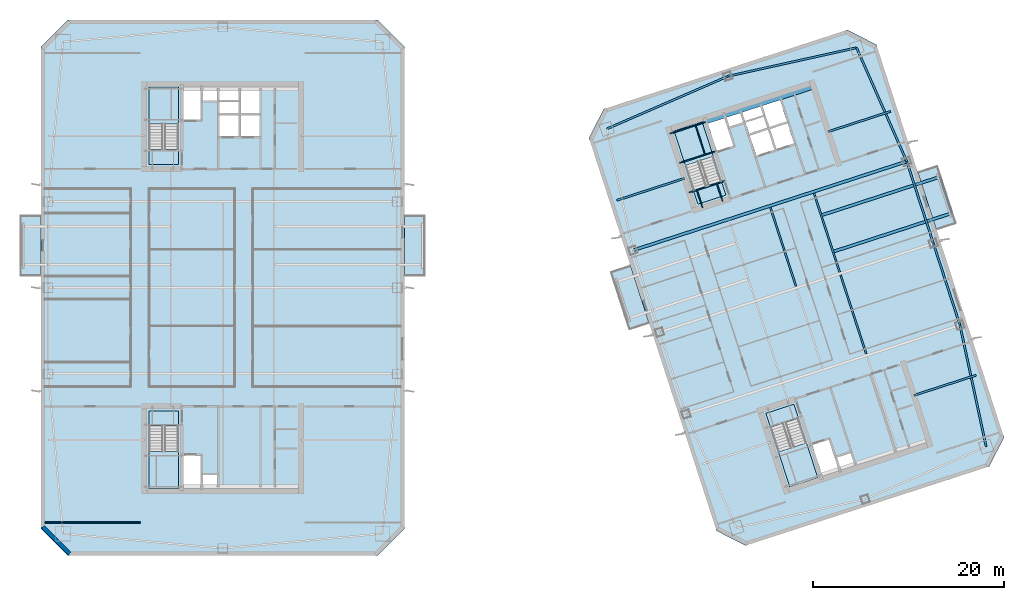
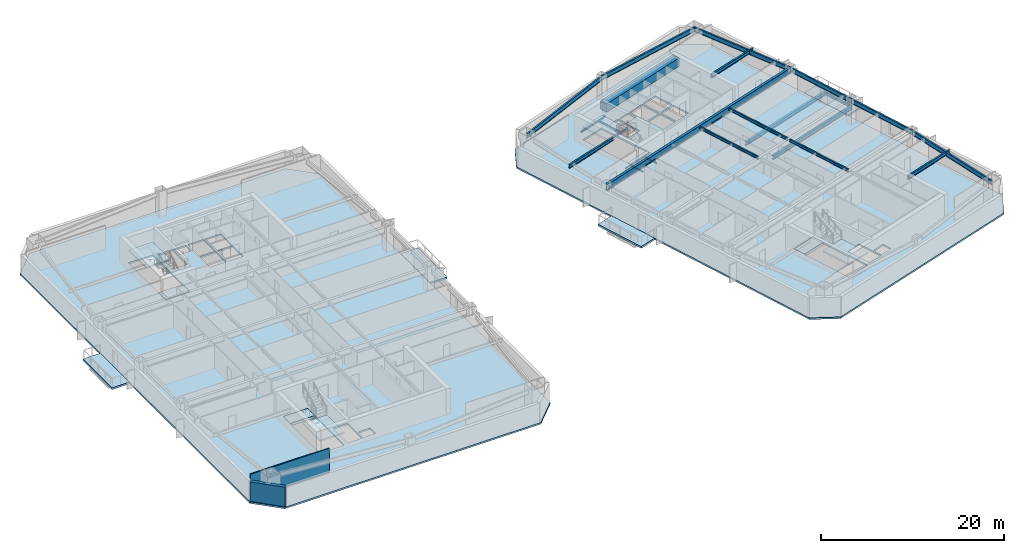
# One storey, part 4 of 17: 23 beams, 14 slabs, 2 walls, 4 elements without a shape of their own.
"""IFC4 building model written with IfcOpenShell, lengths in metres."""

from ifc_helpers import new_model, si_unit, direction, frame, frame_2d, origin, origin_2d, place, context, subcontext, project, spatial, polyline, rectangle, i_section, outline, extrude, material, layer, layer_set, material_profile, profile_set, type_object, element, aggregate, save


model = new_model("IFC4")

# Units and contexts
model_context = context("Model", 3, precision=1e-05, world=origin(), true_north=direction((0.0, 1.0)))
body_context = subcontext(model_context, "Body", "Model", "MODEL_VIEW")
ifc_project = project(units=[si_unit("LENGTHUNIT", "METRE"), si_unit("AREAUNIT", "SQUARE_METRE"), si_unit("VOLUMEUNIT", "CUBIC_METRE"), si_unit("PLANEANGLEUNIT", "RADIAN"), si_unit("MASSUNIT", "GRAM", prefix="KILO")], contexts=[model_context])

# Site, building, storey
site_placement = place(None, origin())
site = spatial("IfcSite", under=ifc_project, at=site_placement, CompositionType="ELEMENT")
building_placement = place(site_placement, origin())
building = spatial("IfcBuilding", under=site, at=building_placement, Name="Qiaolan Cultural Towers", CompositionType="ELEMENT")
storey_placement = place(building_placement, frame((0.0, 0.0, 142.60009765625)))
storey = spatial("IfcBuildingStorey", under=building, at=storey_placement, Name="L37", CompositionType="ELEMENT", Elevation=142.60009765625)

# Beams
ifc_material_1 = material(Name="Steel Q355B", Category="steel")
ifc_material_profile_1 = material_profile(ifc_material_1, i_section(OverallWidth=0.300048828125, OverallDepth=0.488037109375, WebThickness=0.010986328125, FlangeThickness=0.01806640625, at=origin_2d()), Name="HM488x300x11x18")
ifc_profile_set_1 = profile_set([ifc_material_profile_1], Name="Steel Q355B")
beam_type_1 = type_object("IfcBeamType", Name="BM-HM488x300x11x18", PredefinedType="BEAM", material=ifc_profile_set_1)
for number, where, z_axis, x_axis, name in (
    (1, (93.823486328125, 37.765869140625, -0.524169921875), (0.951054414178, 0.309023463951, 0.0), (-0.309023463951, 0.951054414178, 0.0), "L37 T2 Tree Balcony Back-Spanned Bracket Beam"),
    (2, (92.58740234375, 41.570068359375, -0.524169921875), (0.951054414178, 0.309023463951, 0.0), (-0.309023463951, 0.951054414178, 0.0), "L37 T2 Tree Balcony Back-Spanned Bracket Beam"),
):
    element("IfcBeam", number, at=place(storey_placement, frame(where, z_axis=z_axis, x_axis=x_axis)), inside=storey, type_object=beam_type_1, Name=name, PredefinedType="BEAM", context=body_context, shape_type="SweptSolid", body=[
        extrude(i_section(OverallWidth=0.300048828125, OverallDepth=0.488037109375, WebThickness=0.010986328125, FlangeThickness=0.01806640625, at=origin_2d()), origin(), (0.0, 0.0, 1.0), 13.0498046875),
    ])
ifc_material_2 = material(Name="Steel Q355B", Category="steel")
ifc_material_profile_2 = material_profile(ifc_material_2, i_section(OverallWidth=0.300048828125, OverallDepth=0.800048828125, WebThickness=0.013916015625, FlangeThickness=0.02587890625, at=origin_2d()), Name="HN800x300x14x26")
ifc_profile_set_2 = profile_set([ifc_material_profile_2], Name="Steel Q355B")
beam_type_2 = type_object("IfcBeamType", Name="BM-HN800x300x14x26", PredefinedType="BEAM", material=ifc_profile_set_2)
beam_1_placement = place(storey_placement, frame((72.905517578125, 37.90869140625, 2.789794921875), z_axis=(0.951055226628, 0.309020963535, 0.0), x_axis=(-0.309020963535, 0.951055226628, 0.0)))
element("IfcBeam", 3, at=beam_1_placement, inside=storey, type_object=beam_type_2, Name="L37 T2 Primary Transverse Girder V3", PredefinedType="BEAM", context=body_context, shape_type="SweptSolid", body=[
    extrude(i_section(OverallWidth=0.300048828125, OverallDepth=0.800048828125, WebThickness=0.013916015625, FlangeThickness=0.02587890625, at=origin_2d()), origin(), (0.0, 0.0, 1.0), 30.099853515625),
])
ifc_material_3 = material(Name="Steel Q355B", Category="steel")
ifc_material_profile_3 = material_profile(ifc_material_3, i_section(OverallWidth=0.175048828125, OverallDepth=0.35009765625, WebThickness=0.007080078125, FlangeThickness=0.010986328125, at=origin_2d()), Name="HN350x175x7x11")
ifc_profile_set_3 = profile_set([ifc_material_profile_3], Name="Steel Q355B")
beam_type_3 = type_object("IfcBeamType", Name="BM-JST-HN350x175x7x11", PredefinedType="JOIST", material=ifc_profile_set_3)
beam_2_placement = place(storey_placement, frame((106.234619140625, 41.798583984375, -0.524169921875), z_axis=(-0.309022586479, 0.951054699292, 0.0), x_axis=(-0.951054699292, -0.309022586479, 0.0)))
element("IfcBeam", 4, at=beam_2_placement, inside=storey, type_object=beam_type_3, Name="L37 T2 Tree Balcony Outer Edge Beam", PredefinedType="JOIST", context=body_context, shape_type="SweptSolid", body=[
    extrude(i_section(OverallWidth=0.175048828125, OverallDepth=0.35009765625, WebThickness=0.007080078125, FlangeThickness=0.010986328125, at=origin_2d()), origin(), (0.0, 0.0, 1.0), 4.0),
])
for number, where, z_axis, x_axis, name in (
    (5, (89.95361328125, 34.142578125, 3.014892578125), (-0.309020714809, 0.951055307445, 0.0), (-0.951055307445, -0.309020714809, 0.0), "L37 T2 Secondary Floor Joist U2-3"),
    (6, (97.2998046875, 27.06640625, 3.014892578125), (-0.309020714809, 0.951055307445, 0.0), (-0.951055307445, -0.309020714809, 0.0), "L37 T2 Secondary Floor Joist U3-2"),
    (7, (94.518798828125, 35.6259765625, 3.014892578125), (-0.309020714809, 0.951055307445, 0.0), (-0.951055307445, -0.309020714809, 0.0), "L37 T2 Secondary Floor Joist U3-3"),
):
    element("IfcBeam", number, at=place(storey_placement, frame(where, z_axis=z_axis, x_axis=x_axis)), inside=storey, type_object=beam_type_3, Name=name, PredefinedType="JOIST", context=body_context, shape_type="SweptSolid", body=[
        extrude(i_section(OverallWidth=0.175048828125, OverallDepth=0.35009765625, WebThickness=0.007080078125, FlangeThickness=0.010986328125, at=origin_2d()), origin(), (0.0, 0.0, 1.0), 8.699951171875),
    ])
ifc_material_4 = material(Name="Steel Q355B", Category="steel")
ifc_material_profile_4 = material_profile(ifc_material_4, i_section(OverallWidth=0.199951171875, OverallDepth=0.449951171875, WebThickness=0.009033203125, FlangeThickness=0.013916015625, at=origin_2d()), Name="HN450x200x9x14")
ifc_profile_set_4 = profile_set([ifc_material_profile_4], Name="Steel Q355B")
beam_type_4 = type_object("IfcBeamType", Name="BM-LNT-HN450x200x9x14", PredefinedType="LINTEL", material=ifc_profile_set_4)
beam_3_placement = place(storey_placement, frame((78.291259765625, 45.44189453125, 2.96484375), z_axis=(-0.951054777171, -0.309022346796, 0.0), x_axis=(0.309022346796, -0.951054777171, 0.0)))
element("IfcBeam", 8, at=beam_3_placement, inside=storey, type_object=beam_type_4, Name="L37 T2 Core Flank Tie Lintel WN", PredefinedType="LINTEL", context=body_context, shape_type="SweptSolid", body=[
    extrude(i_section(OverallWidth=0.199951171875, OverallDepth=0.449951171875, WebThickness=0.009033203125, FlangeThickness=0.013916015625, at=origin_2d()), origin(), (0.0, 0.0, 1.0), 7.4501953125),
])
for number, where, z_axis, x_axis, name in (
    (9, (102.279296875, 22.74365234375, 2.96484375), (0.951061565824, 0.30900145309, 0.0), (-0.30900145309, 0.951061565824, 0.0), "L37 T2 Core Flank Tie Lintel ES"),
    (10, (93.31787109375, 50.32421875, 2.96484375), (0.951061565824, 0.30900145309, 0.0), (-0.30900145309, 0.951061565824, 0.0), "L37 T2 Core Flank Tie Lintel EN"),
):
    element("IfcBeam", number, at=place(storey_placement, frame(where, z_axis=z_axis, x_axis=x_axis)), inside=storey, type_object=beam_type_4, Name=name, PredefinedType="LINTEL", context=body_context, shape_type="SweptSolid", body=[
        extrude(i_section(OverallWidth=0.199951171875, OverallDepth=0.449951171875, WebThickness=0.009033203125, FlangeThickness=0.013916015625, at=origin_2d()), origin(), (0.0, 0.0, 1.0), 6.85009765625),
    ])
ifc_material_5 = material(Name="Concrete C50", Category="concrete")
ifc_material_profile_5 = material_profile(ifc_material_5, rectangle(XDim=0.89990234375, YDim=1.10009765625, at=origin_2d()), Name="RC900x1100")
ifc_profile_set_5 = profile_set([ifc_material_profile_5], Name="Concrete C50")
beam_type_5 = type_object("IfcBeamType", Name="BM-RC900x1100", PredefinedType="BEAM", material=ifc_profile_set_5)
beam_4_placement = place(storey_placement, frame((80.427978515625, 51.551025390625, 2.639892578125), z_axis=(0.951056266386, 0.309017763514, 0.0), x_axis=(-0.309017763514, 0.951056266386, 0.0)))
element("IfcBeam", 11, at=beam_4_placement, inside=storey, type_object=beam_type_5, Name="L37 T2 Core Header Girder N", PredefinedType="BEAM", context=body_context, shape_type="SweptSolid", body=[
    extrude(rectangle(XDim=0.89990234375, YDim=1.10009765625, at=origin_2d()), origin(), (0.0, 0.0, 1.0), 11.880126953125),
])
ifc_material_6 = material(Name="Steel Q355B", Category="steel")
ifc_material_profile_6 = material_profile(ifc_material_6, i_section(OverallWidth=0.199951171875, OverallDepth=0.60009765625, WebThickness=0.010986328125, FlangeThickness=0.01708984375, at=origin_2d()), Name="HN600x200x11x17")
ifc_profile_set_6 = profile_set([ifc_material_profile_6], Name="Steel Q355B")
beam_type_6 = type_object("IfcBeamType", Name="BM-SPD-HN600x200x11x17", PredefinedType="SPANDREL", material=ifc_profile_set_6)
beam_5_placement = place(storey_placement, frame((109.834716796875, 17.38623046875, 2.889892578125), z_axis=(-0.210832241173, 0.977522258612, 0.0), x_axis=(-0.977522258612, -0.210832241173, 0.0)))
element("IfcBeam", 12, at=beam_5_placement, inside=storey, type_object=beam_type_6, Name="L37 T2 Perimeter Spandrel Beam 3", PredefinedType="SPANDREL", context=body_context, shape_type="SweptSolid", body=[
    extrude(i_section(OverallWidth=0.199951171875, OverallDepth=0.60009765625, WebThickness=0.010986328125, FlangeThickness=0.01708984375, at=origin_2d()), origin(), (0.0, 0.0, 1.0), 12.997314453125),
])
beam_6_placement = place(storey_placement, frame((107.094482421875, 30.09130859375, 2.889892578125), z_axis=(-0.309008170129, 0.951059383421, 0.0), x_axis=(-0.951059383421, -0.309008170129, 0.0)))
element("IfcBeam", 13, at=beam_6_placement, inside=storey, type_object=beam_type_6, Name="L37 T2 Perimeter Spandrel Beam 4", PredefinedType="SPANDREL", context=body_context, shape_type="SweptSolid", body=[
    extrude(i_section(OverallWidth=0.199951171875, OverallDepth=0.60009765625, WebThickness=0.010986328125, FlangeThickness=0.01708984375, at=origin_2d()), origin(), (0.0, 0.0, 1.0), 8.999755859375),
])
beam_7_placement = place(storey_placement, frame((104.3134765625, 38.650634765625, 2.889892578125), z_axis=(-0.309024734286, 0.951054001411, 0.0), x_axis=(-0.951054001411, -0.309024734286, 0.0)))
element("IfcBeam", 14, at=beam_7_placement, inside=storey, type_object=beam_type_6, Name="L37 T2 Perimeter Spandrel Beam 5", PredefinedType="SPANDREL", context=body_context, shape_type="SweptSolid", body=[
    extrude(i_section(OverallWidth=0.199951171875, OverallDepth=0.60009765625, WebThickness=0.010986328125, FlangeThickness=0.01708984375, at=origin_2d()), origin(), (0.0, 0.0, 1.0), 9.0),
])
beam_8_placement = place(storey_placement, frame((101.5322265625, 47.210205078125, 2.889892578125), z_axis=(-0.404011070002, 0.914754095545, 0.0), x_axis=(-0.914754095545, -0.404011070002, 0.0)))
element("IfcBeam", 15, at=beam_8_placement, inside=storey, type_object=beam_type_6, Name="L37 T2 Perimeter Spandrel Beam 6", PredefinedType="SPANDREL", context=body_context, shape_type="SweptSolid", body=[
    extrude(i_section(OverallWidth=0.199951171875, OverallDepth=0.60009765625, WebThickness=0.010986328125, FlangeThickness=0.01708984375, at=origin_2d()), origin(), (0.0, 0.0, 1.0), 12.9970703125),
])
beam_9_placement = place(storey_placement, frame((96.28125, 59.099365234375, 2.889892578125), z_axis=(-0.976265293399, -0.216578108094, 0.0), x_axis=(0.216578108094, -0.976265293399, 0.0)))
element("IfcBeam", 16, at=beam_9_placement, inside=storey, type_object=beam_type_6, Name="L37 T2 Perimeter Spandrel Beam 7", PredefinedType="SPANDREL", context=body_context, shape_type="SweptSolid", body=[
    extrude(i_section(OverallWidth=0.199951171875, OverallDepth=0.60009765625, WebThickness=0.010986328125, FlangeThickness=0.01708984375, at=origin_2d()), origin(), (0.0, 0.0, 1.0), 13.793212890625),
])
beam_10_placement = place(storey_placement, frame((82.8154296875, 56.112060546875, 2.889892578125), z_axis=(-0.917117043091, -0.398618024268, 0.0), x_axis=(0.398618024268, -0.917117043091, 0.0)))
element("IfcBeam", 17, at=beam_10_placement, inside=storey, type_object=beam_type_6, Name="L37 T2 Perimeter Spandrel Beam 8", PredefinedType="SPANDREL", context=body_context, shape_type="SweptSolid", body=[
    extrude(i_section(OverallWidth=0.199951171875, OverallDepth=0.60009765625, WebThickness=0.010986328125, FlangeThickness=0.01708984375, at=origin_2d()), origin(), (0.0, 0.0, 1.0), 13.79345703125),
])
ifc_material_7 = material(Name="Steel Q355B", Category="steel")
ifc_material_profile_7 = material_profile(ifc_material_7, i_section(OverallWidth=0.10009765625, OverallDepth=0.199951171875, WebThickness=0.005615234375, FlangeThickness=0.008056640625, at=origin_2d()), Name="HN200x100x5.5x8")
ifc_profile_set_7 = profile_set([ifc_material_profile_7], Name="Steel Q355B")
beam_type_7 = type_object("IfcBeamType", Name="BM-STTRIM-200", PredefinedType="BEAM", material=ifc_profile_set_7)
beam_11_placement = place(storey_placement, frame((78.773193359375, 43.958251953125, -0.460205078125), z_axis=(0.951072048947, 0.3089691857, 0.0), x_axis=(-0.3089691857, 0.951072048947, 0.0)))
element("IfcBeam", 18, at=beam_11_placement, inside=storey, type_object=beam_type_7, Name="L37 ST-E2 Floor Landing Header Beam", PredefinedType="BEAM", context=body_context, shape_type="SweptSolid", body=[
    extrude(i_section(OverallWidth=0.10009765625, OverallDepth=0.199951171875, WebThickness=0.005615234375, FlangeThickness=0.008056640625, at=origin_2d()), origin(), (0.0, 0.0, 1.0), 3.920166015625),
])
for number, where, z_axis, x_axis, name in (
    (19, (80.18115234375, 42.375732421875, -0.460205078125), (-0.308969394428, 0.951071981138, 0.0), (-0.951071981138, -0.308969394428, 0.0), "L37 ST-E2 Floor Landing Stringer 1"),
    (20, (82.2734375, 43.0556640625, -0.460205078125), (-0.308969394428, 0.951071981138, 0.0), (-0.951071981138, -0.308969394428, 0.0), "L37 ST-E2 Floor Landing Stringer 2"),
):
    element("IfcBeam", number, at=place(storey_placement, frame(where, z_axis=z_axis, x_axis=x_axis)), inside=storey, type_object=beam_type_7, Name=name, PredefinedType="BEAM", context=body_context, shape_type="SweptSolid", body=[
        extrude(i_section(OverallWidth=0.10009765625, OverallDepth=0.199951171875, WebThickness=0.005615234375, FlangeThickness=0.008056640625, at=origin_2d()), origin(), (0.0, 0.0, 1.0), 1.93994140625),
    ])
for number, where, z_axis, x_axis, name in (
    (21, (77.769287109375, 47.0478515625, 1.4248046875), (0.951053746643, 0.309025518358, 0.0), (-0.309025518358, 0.951053746643, 0.0), "L37 ST-E2 Stair Landing Support Beam 1-1"),
    (22, (76.770751953125, 50.12109375, 1.4248046875), (0.951072048947, 0.3089691857, 0.0), (-0.3089691857, 0.951072048947, 0.0), "L37 ST-E2 Stair Landing Support Beam 1-2"),
):
    element("IfcBeam", number, at=place(storey_placement, frame(where, z_axis=z_axis, x_axis=x_axis)), inside=storey, type_object=beam_type_7, Name=name, PredefinedType="BEAM", context=body_context, shape_type="SweptSolid", body=[
        extrude(i_section(OverallWidth=0.10009765625, OverallDepth=0.199951171875, WebThickness=0.005615234375, FlangeThickness=0.008056640625, at=origin_2d()), origin(), (0.0, 0.0, 1.0), 3.920166015625),
    ])
beam_12_placement = place(storey_placement, frame((80.44189453125, 47.916259765625, 1.4248046875), z_axis=(-0.309033108495, 0.951051280349, 0.0), x_axis=(-0.951051280349, -0.309033108495, 0.0)))
element("IfcBeam", 23, at=beam_12_placement, inside=storey, type_object=beam_type_7, Name="L37 ST-E2 Stair Landing Trimmer 1", PredefinedType="BEAM", context=body_context, shape_type="SweptSolid", body=[
    extrude(i_section(OverallWidth=0.10009765625, OverallDepth=0.199951171875, WebThickness=0.005615234375, FlangeThickness=0.008056640625, at=origin_2d()), origin(), (0.0, 0.0, 1.0), 3.231201171875),
])

# Slabs
ifc_material_8 = material(Name="Concrete C45", Category="concrete")
ifc_layer_1 = layer(ifc_material_8, 0.239990234375)
ifc_layer_set_1 = layer_set([ifc_layer_1], Name="Concrete C45")
slab_type_1 = type_object("IfcSlabType", Name="SL-BAL-240", PredefinedType="FLOOR", material=ifc_layer_set_1)
slab_1_placement = place(storey_placement, frame((0.0, 0.0, -0.239990234375)))
element("IfcSlab", 24, at=slab_1_placement, inside=storey, type_object=slab_type_1, Name="L37 T1 Planted Tree Balcony W", PredefinedType="FLOOR", context=body_context, shape_type="SweptSolid", body=[
    extrude(outline(polyline([(8.800048828125, 35.199951171875), (11.0, 35.199951171875), (11.0, 41.60009765625), (8.800048828125, 41.60009765625), (8.800048828125, 35.199951171875)])), origin(), (0.0, 0.0, 1.0), 0.239990234375),
])
slab_2_placement = place(storey_placement, frame((0.0, 0.0, -0.239990234375)))
element("IfcSlab", 25, at=slab_2_placement, inside=storey, type_object=slab_type_1, Name="L37 T1 Planted Tree Balcony E", PredefinedType="FLOOR", context=body_context, shape_type="SweptSolid", body=[
    extrude(outline(polyline([(49.0, 35.199951171875), (51.199951171875, 35.199951171875), (51.199951171875, 41.60009765625), (49.0, 41.60009765625), (49.0, 35.199951171875)])), origin(), (0.0, 0.0, 1.0), 0.239990234375),
])
slab_3_placement = place(storey_placement, frame((0.0, 0.0, -0.239990234375)))
element("IfcSlab", 26, at=slab_3_placement, inside=storey, type_object=slab_type_1, Name="L37 T2 Planted Tree Balcony W", PredefinedType="FLOOR", context=body_context, shape_type="SweptSolid", body=[
    extrude(outline(polyline([(72.51025390625, 29.578857421875), (74.6025390625, 30.2587890625), (72.624755859375, 36.345458984375), (70.532470703125, 35.665771484375), (72.51025390625, 29.578857421875)])), origin(), (0.0, 0.0, 1.0), 0.239990234375),
])
slab_4_placement = place(storey_placement, frame((0.0, 0.0, -0.239990234375)))
element("IfcSlab", 27, at=slab_4_placement, inside=storey, type_object=slab_type_1, Name="L37 T2 Planted Tree Balcony E", PredefinedType="FLOOR", context=body_context, shape_type="SweptSolid", body=[
    extrude(outline(polyline([(104.65576171875, 40.023681640625), (106.748291015625, 40.70361328125), (104.7705078125, 46.790283203125), (102.67822265625, 46.110595703125), (104.65576171875, 40.023681640625)])), origin(), (0.0, 0.0, 1.0), 0.239990234375),
])

# Stair, slab
ifc_material_9 = material(Name="Concrete C45", Category="concrete")
stair_type = type_object("IfcStairType", Name="STR-CORE-1500", PredefinedType="HALF_TURN_STAIR", material=ifc_material_9)
stair_1_placement = place(storey_placement, origin())
stair_1 = element("IfcStair", 28, at=stair_1_placement, inside=storey, type_object=stair_type, Name="L37 Smokeproof Exit Stair ST-W1", PredefinedType="HALF_TURN_STAIR")
ifc_material_10 = material(Name="Concrete C45", Category="concrete")
ifc_layer_2 = layer(ifc_material_10, 0.199951171875)
ifc_layer_set_2 = layer_set([ifc_layer_2], Name="Concrete C45")
slab_type_2 = type_object("IfcSlabType", Name="SL-STAIR-LAND", PredefinedType="LANDING", material=ifc_layer_set_2)
slab_5_placement = place(storey_placement, frame((0.0, 0.0, 1.52490234375)))
slab_5 = element("IfcSlab", 29, at=slab_5_placement, type_object=slab_type_2, Name="ST-W1 landing 1", PredefinedType="LANDING", context=body_context, shape_type="SweptSolid", body=[
    extrude(outline(polyline([(22.300048828125, 16.851318359375), (22.300048828125, 13.0), (25.3798828125, 13.0), (25.3798828125, 16.851318359375), (22.300048828125, 16.851318359375)])), origin(), (0.0, 0.0, 1.0), 0.199951171875),
])
aggregate(stair_1, [slab_5])

stair_2_placement = place(storey_placement, origin())
stair_2 = element("IfcStair", 30, at=stair_2_placement, inside=storey, type_object=stair_type, Name="L37 Smokeproof Exit Stair ST-W2", PredefinedType="HALF_TURN_STAIR")
slab_6_placement = place(storey_placement, frame((0.0, 0.0, 1.52490234375)))
slab_6 = element("IfcSlab", 31, at=slab_6_placement, type_object=slab_type_2, Name="ST-W2 landing 1", PredefinedType="LANDING", context=body_context, shape_type="SweptSolid", body=[
    extrude(outline(polyline([(25.3798828125, 51.148681640625), (25.3798828125, 55.0), (22.300048828125, 55.0), (22.300048828125, 51.148681640625), (25.3798828125, 51.148681640625)])), origin(), (0.0, 0.0, 1.0), 0.199951171875),
])
aggregate(stair_2, [slab_6])

stair_3_placement = place(storey_placement, origin())
stair_3 = element("IfcStair", 32, at=stair_3_placement, inside=storey, type_object=stair_type, Name="L37 Smokeproof Exit Stair ST-E1", PredefinedType="HALF_TURN_STAIR")
slab_7_placement = place(storey_placement, frame((0.0, 0.0, 1.52490234375)))
slab_7 = element("IfcSlab", 33, at=slab_7_placement, type_object=slab_type_2, Name="ST-E1 landing 1", PredefinedType="LANDING", context=body_context, shape_type="SweptSolid", body=[
    extrude(outline(polyline([(88.114013671875, 16.828125), (89.30419921875, 13.165283203125), (92.2333984375, 14.116943359375), (91.04345703125, 17.77978515625), (88.114013671875, 16.828125)])), origin(), (0.0, 0.0, 1.0), 0.199951171875),
])
aggregate(stair_3, [slab_7])

stair_4_placement = place(storey_placement, origin())
stair_4 = element("IfcStair", 34, at=stair_4_placement, inside=storey, type_object=stair_type, Name="L37 Smokeproof Exit Stair ST-E2", PredefinedType="HALF_TURN_STAIR")
slab_8_placement = place(storey_placement, frame((0.0, 0.0, 1.52490234375)))
slab_8 = element("IfcSlab", 35, at=slab_8_placement, type_object=slab_type_2, Name="ST-E2 landing 1", PredefinedType="LANDING", context=body_context, shape_type="SweptSolid", body=[
    extrude(outline(polyline([(81.31005859375, 47.735595703125), (80.1201171875, 51.3984375), (77.190673828125, 50.44677734375), (78.380859375, 46.783935546875), (81.31005859375, 47.735595703125)])), origin(), (0.0, 0.0, 1.0), 0.199951171875),
])
aggregate(stair_4, [slab_8])

# Slabs
ifc_material_11 = material(Name="Concrete C40", Category="concrete")
ifc_layer_3 = layer(ifc_material_11, 0.360107421875)
ifc_layer_set_3 = layer_set([ifc_layer_3], Name="Concrete C40")
slab_type_3 = type_object("IfcSlabType", Name="SL-STFLR-360", PredefinedType="LANDING", material=ifc_layer_set_3)
slab_9_placement = place(storey_placement, frame((0.0, 0.0, -0.360107421875)))
element("IfcSlab", 36, at=slab_9_placement, inside=storey, type_object=slab_type_3, Name="L37 ST-W1 Stair Floor Landing Slab", PredefinedType="LANDING", context=body_context, shape_type="SweptSolid", body=[
    extrude(outline(polyline([(22.302001953125, 21.097900390625), (22.302001953125, 19.548583984375), (25.3779296875, 19.548583984375), (25.3779296875, 21.097900390625), (22.302001953125, 21.097900390625)])), origin(), (0.0, 0.0, 1.0), 0.360107421875),
])
slab_10_placement = place(storey_placement, frame((0.0, 0.0, -0.360107421875)))
element("IfcSlab", 37, at=slab_10_placement, inside=storey, type_object=slab_type_3, Name="L37 ST-W2 Stair Floor Landing Slab", PredefinedType="LANDING", context=body_context, shape_type="SweptSolid", body=[
    extrude(outline(polyline([(25.3779296875, 46.902099609375), (25.3779296875, 48.451416015625), (22.302001953125, 48.451416015625), (22.302001953125, 46.902099609375), (25.3779296875, 46.902099609375)])), origin(), (0.0, 0.0, 1.0), 0.360107421875),
])
slab_11_placement = place(storey_placement, frame((0.0, 0.0, -0.360107421875)))
element("IfcSlab", 38, at=slab_11_placement, inside=storey, type_object=slab_type_3, Name="L37 ST-E1 Stair Floor Landing Slab", PredefinedType="LANDING", context=body_context, shape_type="SweptSolid", body=[
    extrude(outline(polyline([(86.8037109375, 20.867431640625), (87.282470703125, 19.39404296875), (90.2080078125, 20.3447265625), (89.729248046875, 21.818115234375), (86.8037109375, 20.867431640625)])), origin(), (0.0, 0.0, 1.0), 0.360107421875),
])
slab_12_placement = place(storey_placement, frame((0.0, 0.0, -0.360107421875)))
element("IfcSlab", 39, at=slab_12_placement, inside=storey, type_object=slab_type_3, Name="L37 ST-E2 Stair Floor Landing Slab", PredefinedType="LANDING", context=body_context, shape_type="SweptSolid", body=[
    extrude(outline(polyline([(82.62060546875, 43.6962890625), (82.141845703125, 45.169677734375), (79.21630859375, 44.21923828125), (79.695068359375, 42.74560546875), (82.62060546875, 43.6962890625)])), origin(), (0.0, 0.0, 1.0), 0.360107421875),
])
ifc_material_12 = material(Name="Concrete C45", Category="concrete")
ifc_layer_4 = layer(ifc_material_12, 0.219970703125)
ifc_layer_set_4 = layer_set([ifc_layer_4], Name="Concrete C45")
slab_type_4 = type_object("IfcSlabType", Name="SL-TYP-220", PredefinedType="FLOOR", material=ifc_layer_set_4)
slab_13_placement = place(storey_placement, frame((0.0, 0.0, -0.22021484375)))
element("IfcSlab", 40, at=slab_13_placement, inside=storey, type_object=slab_type_4, Name="L37 West Tower Floor Slab", PredefinedType="FLOOR", context=body_context, shape_type="SweptSolid", body=[
    extrude(outline(polyline([(13.800048828125, 6.0), (46.199951171875, 6.0), (49.0, 8.800048828125), (49.0, 59.199951171875), (46.199951171875, 62.0), (13.800048828125, 62.0), (11.0, 59.199951171875), (11.0, 8.800048828125), (13.800048828125, 6.0)]), holes=[polyline([(22.300048828125, 21.10009765625), (22.300048828125, 13.0), (25.3798828125, 13.0), (25.3798828125, 21.10009765625), (22.300048828125, 21.10009765625)]), polyline([(25.3798828125, 46.89990234375), (25.3798828125, 55.0), (22.300048828125, 55.0), (22.300048828125, 46.89990234375), (25.3798828125, 46.89990234375)]), polyline([(25.89990234375, 13.199951171875), (27.75, 13.199951171875), (27.75, 16.449951171875), (25.89990234375, 16.449951171875), (25.89990234375, 13.199951171875)]), polyline([(27.93994140625, 13.25), (29.449951171875, 13.25), (29.449951171875, 14.419921875), (27.93994140625, 14.419921875), (27.93994140625, 13.25)]), polyline([(25.89990234375, 51.550048828125), (27.75, 51.550048828125), (27.75, 54.800048828125), (25.89990234375, 54.800048828125), (25.89990234375, 51.550048828125)]), polyline([(27.93994140625, 53.580078125), (29.449951171875, 53.580078125), (29.449951171875, 54.75), (27.93994140625, 54.75), (27.93994140625, 53.580078125)]), polyline([(29.679931640625, 49.820068359375), (31.679931640625, 49.820068359375), (31.679931640625, 52.080078125), (29.679931640625, 52.080078125), (29.679931640625, 49.820068359375)]), polyline([(31.8798828125, 49.820068359375), (33.820068359375, 49.820068359375), (33.820068359375, 52.080078125), (31.8798828125, 52.080078125), (31.8798828125, 49.820068359375)]), polyline([(29.679931640625, 52.27001953125), (31.659912109375, 52.27001953125), (31.659912109375, 54.75), (29.679931640625, 54.75), (29.679931640625, 52.27001953125)]), polyline([(31.8798828125, 52.27001953125), (33.820068359375, 52.27001953125), (33.820068359375, 54.75), (31.8798828125, 54.75), (31.8798828125, 52.27001953125)])]), origin(), (0.0, 0.0, 1.0), 0.22021484375),
])
slab_14_placement = place(storey_placement, frame((0.0, 0.0, -0.22021484375)))
element("IfcSlab", 41, at=slab_14_placement, inside=storey, type_object=slab_type_4, Name="L37 East Tower Floor Slab", PredefinedType="FLOOR", context=body_context, shape_type="SweptSolid", body=[
    extrude(outline(polyline([(84.67236328125, 7.033935546875), (110.16064453125, 15.3154296875), (111.701416015625, 18.339599609375), (98.351806640625, 59.42529296875), (95.32763671875, 60.966064453125), (69.83935546875, 52.6845703125), (68.298583984375, 49.660400390625), (81.648193359375, 8.57470703125), (84.67236328125, 7.033935546875)]), holes=[polyline([(86.80126953125, 20.868896484375), (89.30419921875, 13.165283203125), (92.2333984375, 14.116943359375), (89.73046875, 21.820556640625), (86.80126953125, 20.868896484375)]), polyline([(82.623046875, 43.69482421875), (80.1201171875, 51.3984375), (77.190673828125, 50.44677734375), (79.69384765625, 42.7431640625), (82.623046875, 43.69482421875)]), polyline([(92.666259765625, 14.468017578125), (94.42578125, 15.03955078125), (93.42138671875, 18.130615234375), (91.661865234375, 17.558837890625), (92.666259765625, 14.468017578125)]), polyline([(94.5908203125, 15.14599609375), (96.027099609375, 15.612548828125), (95.66552734375, 16.725341796875), (94.2294921875, 16.258544921875), (94.5908203125, 15.14599609375)]), polyline([(81.6806640625, 48.278076171875), (83.440185546875, 48.849609375), (82.435791015625, 51.940673828125), (80.67626953125, 51.368896484375), (81.6806640625, 48.278076171875)]), polyline([(82.993408203125, 50.839111328125), (84.4296875, 51.3056640625), (84.068115234375, 52.41845703125), (82.632080078125, 51.95166015625), (82.993408203125, 50.839111328125)]), polyline([(85.810302734375, 47.80078125), (87.71240234375, 48.418701171875), (87.013916015625, 50.568115234375), (85.11181640625, 49.9501953125), (85.810302734375, 47.80078125)]), polyline([(87.902587890625, 48.480712890625), (89.74755859375, 49.080078125), (89.04931640625, 51.2294921875), (87.2041015625, 50.6298828125), (87.902587890625, 48.480712890625)]), polyline([(85.05322265625, 50.130859375), (86.936279296875, 50.74267578125), (86.169921875, 53.101318359375), (84.286865234375, 52.489501953125), (85.05322265625, 50.130859375)]), polyline([(87.1455078125, 50.810791015625), (88.990478515625, 51.41015625), (88.22412109375, 53.768798828125), (86.379150390625, 53.169189453125), (87.1455078125, 50.810791015625)])]), origin(), (0.0, 0.0, 1.0), 0.22021484375),
])

# Walls
ifc_material_13 = material(Name="Precast Concrete C50 Honed Stone Pier", Category="masonry")
ifc_layer_5 = layer(ifc_material_13, 0.39990234375)
ifc_layer_set_5 = layer_set([ifc_layer_5], Name="Precast Concrete C50 Honed Stone Pier")
wall_type_1 = type_object("IfcWallType", Name="WL-EXT-PIER-400", PredefinedType="SOLIDWALL", material=ifc_layer_set_5)
wall_1_placement = place(storey_placement, frame((14.0, 6.199951171875, 0.0), z_axis=(0.0, 0.0, 1.0), x_axis=(-0.707106781187, 0.707106781187, 0.0)))
element("IfcWall", 42, at=wall_1_placement, inside=storey, type_object=wall_type_1, Name="L37 West Tower Precast Pier Facade Wall F8", PredefinedType="SOLIDWALL", context=body_context, shape_type="SweptSolid", body=[
    extrude(rectangle(XDim=3.9599609375, YDim=0.39990234375, at=frame_2d((1.97998046875, 0.0))), origin(), (0.0, 0.0, 1.0), 2.60986328125),
])
ifc_material_14 = material(Name="Autoclaved Aerated Concrete Block B06", Category="concrete")
ifc_layer_6 = layer(ifc_material_14, 0.14990234375)
ifc_layer_set_6 = layer_set([ifc_layer_6], Name="Autoclaved Aerated Concrete Block B06")
wall_type_2 = type_object("IfcWallType", Name="WL-PART-150", PredefinedType="PARTITIONING", material=ifc_layer_set_6)
wall_2_placement = place(storey_placement, frame((11.39990234375, 9.449951171875, 0.0), z_axis=(0.0, 0.0, 1.0), x_axis=(1.0, 0.0, 0.0)))
element("IfcWall", 43, at=wall_2_placement, inside=storey, type_object=wall_type_2, Name="L37 T1 Flank Wall FLK-SW", PredefinedType="PARTITIONING", context=body_context, shape_type="SweptSolid", body=[
    extrude(rectangle(XDim=10.0, YDim=0.14990234375, at=frame_2d((5.0, 0.0))), origin(), (0.0, 0.0, 1.0), 3.1748046875),
])

save(model, "model.ifc")
